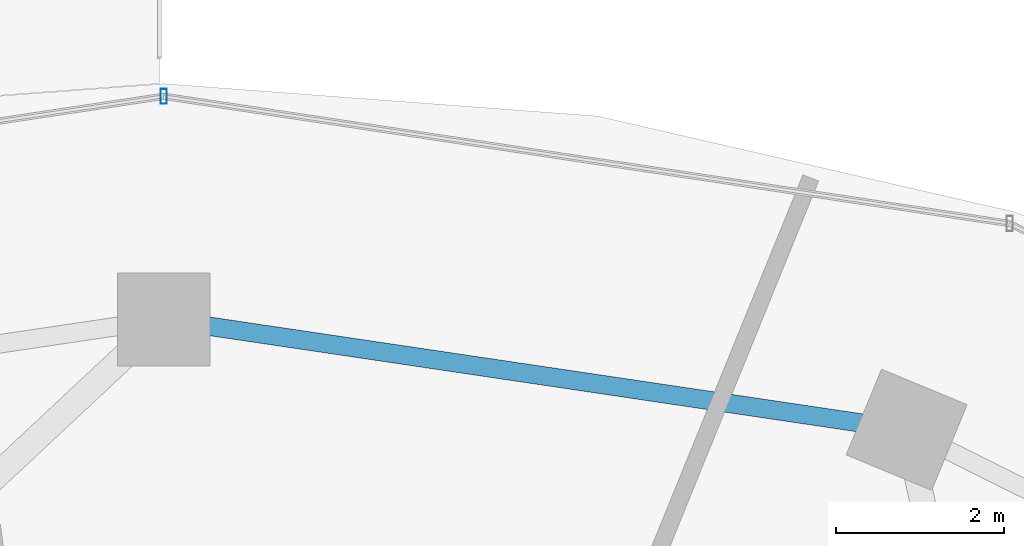
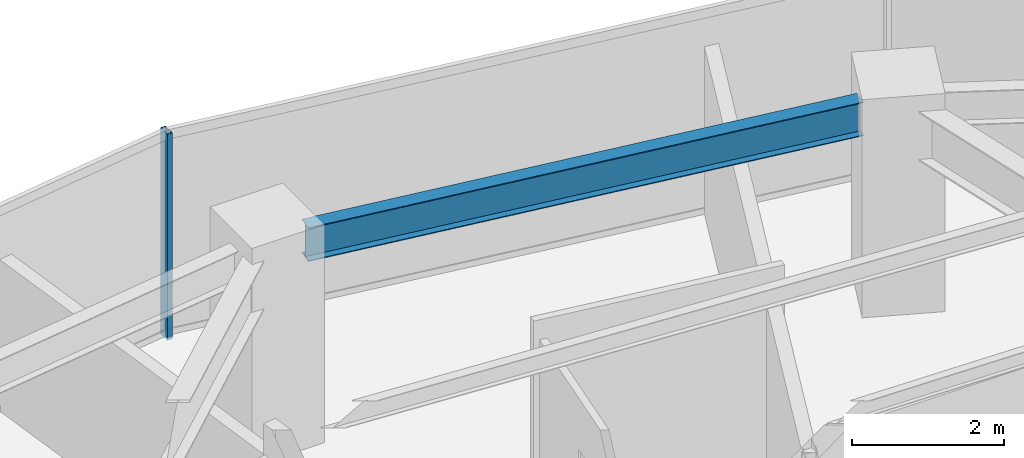
# One storey, part 18 of 30: 1 beam, 1 member, 1 element without a shape of its own.
"""IFC4 building model written with IfcOpenShell, lengths in metres."""

from ifc_helpers import new_model, si_unit, direction, frame, origin, origin_2d, place, context, subcontext, project, spatial, hollow_rectangle, i_section, extrude, material, material_profile, profile_set, type_object, element, aggregate, save


model = new_model("IFC4")

# Units and contexts
model_context = context("Model", 3, precision=1e-05, world=origin(), true_north=direction((0.0, 1.0)))
body_context = subcontext(model_context, "Body", "Model", "MODEL_VIEW")
ifc_project = project(units=[si_unit("LENGTHUNIT", "METRE"), si_unit("AREAUNIT", "SQUARE_METRE"), si_unit("VOLUMEUNIT", "CUBIC_METRE"), si_unit("PLANEANGLEUNIT", "RADIAN"), si_unit("MASSUNIT", "GRAM", prefix="KILO")], contexts=[model_context])

# Site, building, storey
site_placement = place(None, origin())
site = spatial("IfcSite", under=ifc_project, at=site_placement, CompositionType="ELEMENT")
building_placement = place(site_placement, origin())
building = spatial("IfcBuilding", under=site, at=building_placement, Name="Vorneva Point Tower", CompositionType="ELEMENT")
storey_placement = place(building_placement, frame((0.0, 0.0, 92.800048828125)))
storey = spatial("IfcBuildingStorey", under=building, at=storey_placement, Name="L24", CompositionType="ELEMENT", Elevation=92.800048828125)

# Beam
ifc_material_1 = material(Name="Steel S355", Category="steel")
ifc_material_profile_1 = material_profile(ifc_material_1, i_section(OverallWidth=0.219970703125, OverallDepth=0.54296875, WebThickness=0.009521484375, FlangeThickness=0.013427734375, at=origin_2d()), Name="55B1")
ifc_profile_set_1 = profile_set([ifc_material_profile_1], Name="Steel S355")
beam_type = type_object("IfcBeamType", Name="BM-SPN-55B1", PredefinedType="SPANDREL", material=ifc_profile_set_1)
beam_placement = place(storey_placement, frame((46.291748046875, 41.96923828125, 2.968505859375), z_axis=(-0.989164507783, 0.146811363806, 0.0), x_axis=(-0.146811363806, -0.989164507783, 0.0)))
element("IfcBeam", 1, at=beam_placement, inside=storey, type_object=beam_type, Name="L24 Perimeter Spandrel Ring Beam 04", PredefinedType="SPANDREL", context=body_context, shape_type="SweptSolid", body=[
    extrude(i_section(OverallWidth=0.219970703125, OverallDepth=0.54296875, WebThickness=0.009521484375, FlangeThickness=0.013427734375, at=origin_2d()), origin(), (0.0, 0.0, 1.0), 7.847412109375),
])

# Curtain wall, member
ifc_material_2 = material(Name="Pale anodised aluminium", Category="aluminium")
curtain_wall_type = type_object("IfcCurtainWallType", Name="CW-HTL-SYS", PredefinedType="NOTDEFINED", material=ifc_material_2)
curtain_wall_placement = place(storey_placement, origin())
curtain_wall = element("IfcCurtainWall", 2, at=curtain_wall_placement, inside=storey, type_object=curtain_wall_type, Name="L24 Unitised Curtain Wall CW-L24-R02", PredefinedType="NOTDEFINED")
ifc_material_profile_2 = material_profile(ifc_material_2, hollow_rectangle(XDim=0.074951171875, YDim=0.179931640625, WallThickness=0.00390625, at=origin_2d()), Name="AL-MUL 180x75x4")
ifc_profile_set_2 = profile_set([ifc_material_profile_2], Name="Pale anodised aluminium")
member_type = type_object("IfcMemberType", Name="CW-MUL-180", PredefinedType="MULLION", material=ifc_profile_set_2)
member_placement = place(storey_placement, frame((38.0, 45.85009765625, -0.0400390625), z_axis=(0.0, 0.0, 1.0), x_axis=(1.0, 0.0, 0.0)))
member = element("IfcMember", 3, at=member_placement, type_object=member_type, Name="CW-L24-R02 Mullion 03", PredefinedType="MULLION", context=body_context, shape_type="SweptSolid", body=[
    extrude(hollow_rectangle(XDim=0.074951171875, YDim=0.179931640625, WallThickness=0.00390625, at=origin_2d()), origin(), (0.0, 0.0, 1.0), 3.31005859375),
])
aggregate(curtain_wall, [member])

save(model, "model.ifc")
